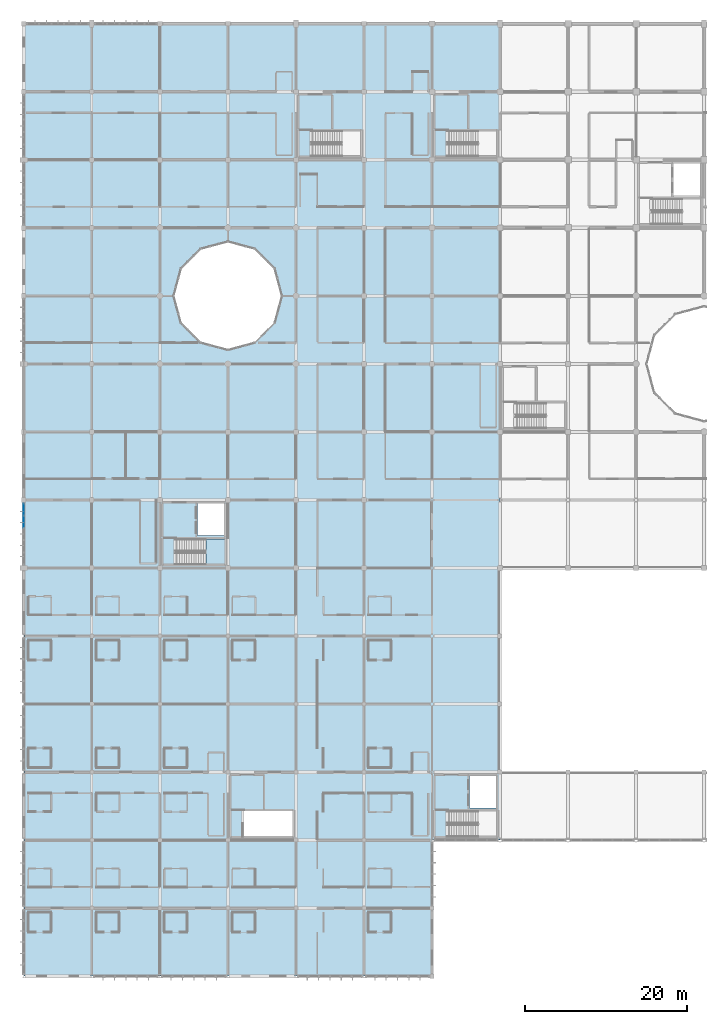
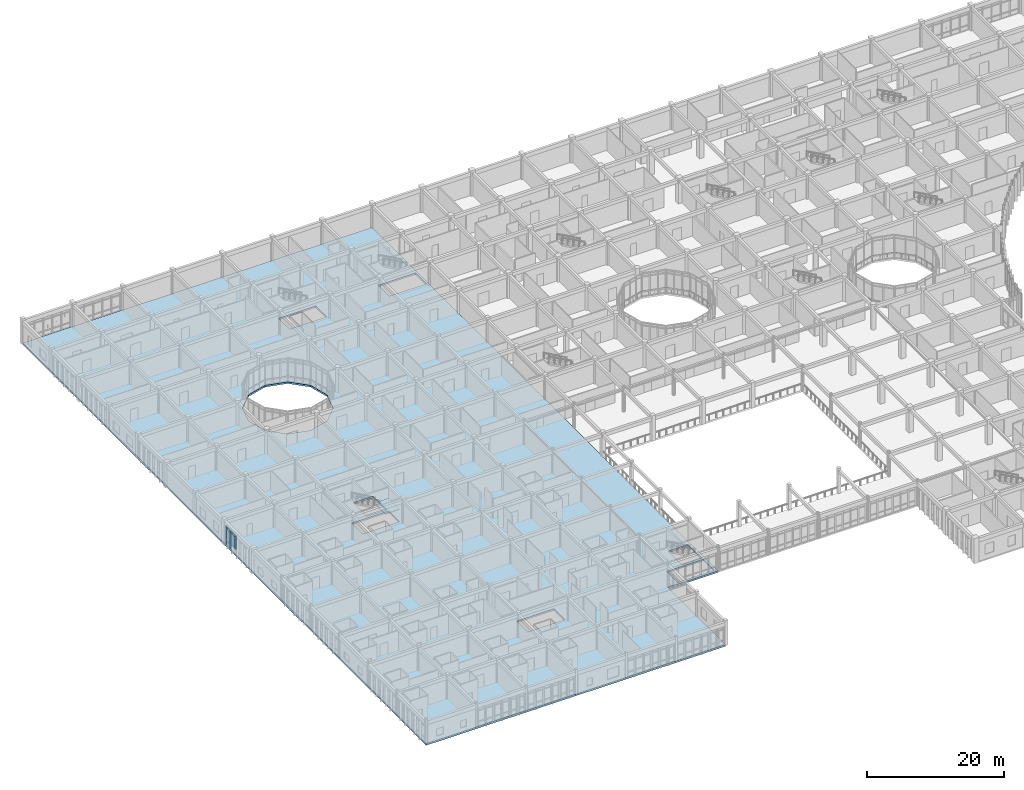
# One storey, part 73 of 144: 5 plates, 2 slabs, 2 elements without a shape of their own.
"""IFC4 building model written with IfcOpenShell, lengths in metres."""

import ifcopenshell
import ifcopenshell.guid

model = None  # the IFC model being written
_history = None  # IfcOwnerHistory: only IFC2X3 demands one
_inside = {}  # id of a spatial element -> (the spatial element, [elements in it])
_under = {}  # id of a project, library or spatial element -> (it, [spatial elements below it])
_declared = {}  # id of a project -> (the project, [libraries it declares])
_typed = {}  # id of a type object -> (the type object, [elements of that type])
_made_of = {}  # id of a material, layer set ... -> (it, [elements and type objects made of it])


def new_model(schema):
    """Start an empty IFC model of exactly this schema.

    Asked for "IFC4X3", IfcOpenShell would pick the latest addendum, in which some entities
    have other attributes; the version numbers below select the first issue.
    IFC2X3 requires an IfcOwnerHistory on every rooted entity: one is made here for all.
    """
    global model, _history
    if schema == "IFC4X3":
        model = ifcopenshell.file(schema_version=(4, 3, 0, 0))
    else:
        model = ifcopenshell.file(schema=schema)
    _inside.clear()
    _under.clear()
    _declared.clear()
    _typed.clear()
    _made_of.clear()
    _history = None
    if model.schema == "IFC2X3":
        org = make("IfcOrganization", Name="unknown")
        user = make(
            "IfcPersonAndOrganization",
            ThePerson=make("IfcPerson", FamilyName="unknown"),
            TheOrganization=org,
        )
        app = make(
            "IfcApplication",
            ApplicationDeveloper=org,
            Version="unknown",
            ApplicationFullName="unknown",
            ApplicationIdentifier="unknown",
        )
        _history = make(
            "IfcOwnerHistory",
            OwningUser=user,
            OwningApplication=app,
            ChangeAction="ADDED",
            CreationDate=0,
        )
    return model


def make(cls, **values):
    """One entity of the class cls with the attributes given. An attribute that is None is left unset."""
    return model.create_entity(
        cls, **{name: value for name, value in values.items() if value is not None}
    )


def rooted(cls, **values):
    """An entity with a GlobalId (a new one), such as an element, a storey or a relation."""
    return make(cls, GlobalId=ifcopenshell.guid.new(), OwnerHistory=_history, **values)


def si_unit(unit_type, name, prefix=None):
    """IfcSIUnit, for example si_unit("LENGTHUNIT", "METRE", prefix="MILLI")."""
    return make("IfcSIUnit", UnitType=unit_type, Prefix=prefix, Name=name)


def assignment(units):
    """IfcUnitAssignment: the units of a project."""
    return None if units is None else make("IfcUnitAssignment", Units=units)


def point(xyz):
    """IfcCartesianPoint."""
    return None if xyz is None else make("IfcCartesianPoint", Coordinates=xyz)


def direction(xyz):
    """IfcDirection."""
    return None if xyz is None else make("IfcDirection", DirectionRatios=xyz)


def frame(location, z_axis=None, x_axis=None):
    """IfcAxis2Placement3D, a coordinate frame: its origin and axes. An axis left out is left unset."""
    return make(
        "IfcAxis2Placement3D",
        Location=point(location),
        Axis=direction(z_axis),
        RefDirection=direction(x_axis),
    )


def frame_2d(location, x_axis=None):
    """IfcAxis2Placement2D, a coordinate frame in the plane: its origin and x axis."""
    return make(
        "IfcAxis2Placement2D", Location=point(location), RefDirection=direction(x_axis)
    )


def origin():
    """The frame at (0, 0, 0) with its axes left unset."""
    return frame((0.0, 0.0, 0.0))


def origin_2d():
    """The frame at (0, 0) in the plane with its x axis left unset."""
    return frame_2d((0.0, 0.0))


def place(relative_to, where):
    """IfcLocalPlacement: puts the frame where relative to a parent placement (None: the world)."""
    return make(
        "IfcLocalPlacement", PlacementRelTo=relative_to, RelativePlacement=where
    )


def context(
    kind, dimensions, precision=None, world=None, true_north=None, identifier=None
):
    """IfcGeometricRepresentationContext, for example the 3D "Model" context."""
    return make(
        "IfcGeometricRepresentationContext",
        ContextIdentifier=identifier,
        ContextType=kind,
        CoordinateSpaceDimension=dimensions,
        Precision=precision,
        WorldCoordinateSystem=world,
        TrueNorth=true_north,
    )


def subcontext(parent, identifier, kind, view, scale=None):
    """IfcGeometricRepresentationSubContext, for example "Body" below "Model"."""
    return make(
        "IfcGeometricRepresentationSubContext",
        ContextIdentifier=identifier,
        ContextType=kind,
        ParentContext=parent,
        TargetScale=scale,
        TargetView=view,
    )


def project(units=None, contexts=None):
    """IfcProject with its units and contexts."""
    return rooted(
        "IfcProject",
        Name="project",
        RepresentationContexts=contexts,
        UnitsInContext=assignment(units),
    )


def spatial(cls, under=None, at=None, **own):
    """A site, building, storey or space (cls), placed at a placement, below another one or the project."""
    s = rooted(cls, ObjectPlacement=at, **own)
    if under is not None:
        _under.setdefault(under.id(), (under, []))[1].append(s)
    return s


def polyline(points):
    """IfcPolyline through the points."""
    return make("IfcPolyline", Points=[point(p) for p in points])


def profile(cls, at=None, kind="AREA", **sizes):
    """A parametric profile (cls). Its sizes go by their IFC names, for example OverallWidth=200.0."""
    return make(cls, ProfileType=kind, Position=at, **sizes)


def rectangle(**sizes):
    """IfcRectangleProfileDef."""
    return profile("IfcRectangleProfileDef", **sizes)


def outline(outer, holes=None, kind="AREA"):
    """IfcArbitraryClosedProfileDef: a profile drawn as a closed curve; with holes, ...WithVoids."""
    if holes is None:
        return make("IfcArbitraryClosedProfileDef", ProfileType=kind, OuterCurve=outer)
    return make(
        "IfcArbitraryProfileDefWithVoids",
        ProfileType=kind,
        OuterCurve=outer,
        InnerCurves=holes,
    )


def extrude(swept, where, along, depth):
    """IfcExtrudedAreaSolid: the profile swept, set in the frame where, extruded along a direction by depth."""
    return make(
        "IfcExtrudedAreaSolid",
        SweptArea=swept,
        Position=where,
        ExtrudedDirection=direction(along),
        Depth=depth,
    )


def shape(context_of_items, identifier, shape_type, items):
    """IfcShapeRepresentation: the items that make up one representation, for example the "Body"."""
    return make(
        "IfcShapeRepresentation",
        ContextOfItems=context_of_items,
        RepresentationIdentifier=identifier,
        RepresentationType=shape_type,
        Items=items,
    )


def material(Name=None, Category=None):
    """IfcMaterial."""
    return make("IfcMaterial", Name=Name, Category=Category)


def layer(
    of_material, thickness, ventilated=None, Name=None, Category=None, Priority=None
):
    """IfcMaterialLayer: one layer of a wall or slab, of a material (None: an air gap)."""
    return make(
        "IfcMaterialLayer",
        Material=of_material,
        LayerThickness=thickness,
        IsVentilated=ventilated,
        Name=Name,
        Category=Category,
        Priority=Priority,
    )


def layer_set(layers, Name=None):
    """IfcMaterialLayerSet."""
    return make("IfcMaterialLayerSet", MaterialLayers=layers, LayerSetName=Name)


def made_of(thing, what):
    """Note that an element or type object is made of a material, layer set ...; save() writes the relation."""
    if what is not None:
        _made_of.setdefault(what.id(), (what, []))[1].append(thing)
    return thing


def type_object(cls, material=None, **own):
    """A type object (cls), such as IfcWallType, which elements share."""
    return made_of(rooted(cls, **own), material)


def element(
    cls,
    number,
    at=None,
    inside=None,
    cuts=None,
    type_object=None,
    material=None,
    context=None,
    identifier="Body",
    shape_type=None,
    held_by="IfcProductDefinitionShape",
    body=None,
    shapes=None,
    **own,
):
    """One element of the class cls, such as IfcWall. Its Tag is "e" and its number.

    at: its placement. inside: the storey or other place that contains it. cuts: it is an
    opening in that element (IfcRelVoidsElement). A single representation is given by context,
    identifier, shape_type and body (its items); several are given by shapes. held_by: the class
    of the entity that holds the representations. save() writes the other relations.
    """
    e = rooted(cls, Tag="e%d" % number, ObjectPlacement=at, **own)
    if body is not None:
        shapes = [shape(context, identifier, shape_type, body)]
    if shapes is not None:
        e.Representation = make(held_by, Representations=shapes)
    if inside is not None:
        _inside.setdefault(inside.id(), (inside, []))[1].append(e)
    if cuts is not None:
        rooted(
            "IfcRelVoidsElement", RelatingBuildingElement=cuts, RelatedOpeningElement=e
        )
    if type_object is not None:
        _typed.setdefault(type_object.id(), (type_object, []))[1].append(e)
    return made_of(e, material)


def aggregate(whole, parts):
    """IfcRelAggregates: a whole, such as a stair, and the parts it consists of."""
    return rooted("IfcRelAggregates", RelatingObject=whole, RelatedObjects=parts)


def save(model, path):
    """Write the relations noted so far, then the file.

    IfcRelAggregates (storeys below a building ...), IfcRelContainedInSpatialStructure (elements
    in a storey), IfcRelDefinesByType, IfcRelAssociatesMaterial and IfcRelDeclares: one each for
    every whole, place, type object, material and project.
    """
    for whole, parts in _under.values():
        aggregate(whole, parts)
    for where, things in _inside.values():
        rooted(
            "IfcRelContainedInSpatialStructure",
            RelatedElements=things,
            RelatingStructure=where,
        )
    for kind, things in _typed.values():
        rooted("IfcRelDefinesByType", RelatedObjects=things, RelatingType=kind)
    for what, things in _made_of.values():
        rooted("IfcRelAssociatesMaterial", RelatedObjects=things, RelatingMaterial=what)
    for by, libraries in _declared.values():
        rooted("IfcRelDeclares", RelatingContext=by, RelatedDefinitions=libraries)
    model.write(path)


model = new_model("IFC4")

# Units and contexts
model_context = context("Model", 3, precision=1e-05, world=origin(), true_north=direction((0.0, 1.0)))
body_context = subcontext(model_context, "Body", "Model", "MODEL_VIEW")
ifc_project = project(units=[si_unit("LENGTHUNIT", "METRE"), si_unit("AREAUNIT", "SQUARE_METRE"), si_unit("VOLUMEUNIT", "CUBIC_METRE"), si_unit("PLANEANGLEUNIT", "RADIAN"), si_unit("MASSUNIT", "GRAM", prefix="KILO")], contexts=[model_context])

# Site, building, storey
site_placement = place(None, origin())
site = spatial("IfcSite", under=ifc_project, at=site_placement, CompositionType="ELEMENT")
building_placement = place(site_placement, origin())
building = spatial("IfcBuilding", under=site, at=building_placement, Name="Bramfleet General Hospital", CompositionType="ELEMENT")
storey_placement = place(building_placement, frame((0.0, 0.0, 4.800048828125)))
storey = spatial("IfcBuildingStorey", under=building, at=storey_placement, Name="L01", CompositionType="ELEMENT", Elevation=4.800048828125)

# Curtain wall, plates
ifc_material_1 = material(Name="Anodised aluminium and low-E triple glazing", Category="aluminium")
ifc_layer_1 = layer(ifc_material_1, 0.179931640625, Name="CWT-CW-03")
ifc_layer_set_1 = layer_set([ifc_layer_1], Name="Anodised aluminium and low-E triple glazing")
curtain_wall_type = type_object("IfcCurtainWallType", Name="CWT-CW-03", PredefinedType="USERDEFINED", material=ifc_layer_set_1)
curtain_wall_placement = place(storey_placement, origin())
curtain_wall = element("IfcCurtainWall", 1, at=curtain_wall_placement, inside=storey, type_object=curtain_wall_type, Name="L01 Curtain Wall 93", ObjectType="Unitised curtain wall", PredefinedType="USERDEFINED")
ifc_material_2 = material(Name="Low-E laminated safety glass", Category="glass")
ifc_layer_2 = layer(ifc_material_2, 0.028076171875, Name="CWP-GLZ-1")
ifc_layer_set_2 = layer_set([ifc_layer_2], Name="Low-E laminated safety glass")
plate_type = type_object("IfcPlateType", Name="CWP-GLZ-1", PredefinedType="CURTAIN_PANEL", material=ifc_layer_set_2)
plate_1_placement = place(storey_placement, frame((0.0, 56.1298828125, 0.9326171875), z_axis=(0.0, 0.0, 1.0), x_axis=(0.0, 1.0, 0.0)))
plate_1 = element("IfcPlate", 2, at=plate_1_placement, type_object=plate_type, Name="CW-03 panel 4.2", PredefinedType="CURTAIN_PANEL", context=body_context, shape_type="SweptSolid", body=[
    extrude(rectangle(XDim=1.4599609375, YDim=0.028076171875, at=origin_2d()), origin(), (0.0, 0.0, 1.0), 1.925048828125),
])
plate_2_placement = place(storey_placement, frame((0.0, 56.1298828125, 2.92236328125), z_axis=(0.0, 0.0, 1.0), x_axis=(0.0, 1.0, 0.0)))
plate_2 = element("IfcPlate", 3, at=plate_2_placement, type_object=plate_type, Name="CW-03 panel 4.3", PredefinedType="CURTAIN_PANEL", context=body_context, shape_type="SweptSolid", body=[
    extrude(rectangle(XDim=1.4599609375, YDim=0.028076171875, at=origin_2d()), origin(), (0.0, 0.0, 1.0), 0.452392578125),
])
plate_3_placement = place(storey_placement, frame((0.0, 57.642578125, 0.06494140625), z_axis=(0.0, 0.0, 1.0), x_axis=(0.0, 1.0, 0.0)))
plate_3 = element("IfcPlate", 4, at=plate_3_placement, type_object=plate_type, Name="CW-03 panel 5.1", PredefinedType="CURTAIN_PANEL", context=body_context, shape_type="SweptSolid", body=[
    extrude(rectangle(XDim=1.425048828125, YDim=0.028076171875, at=origin_2d()), origin(), (0.0, 0.0, 1.0), 0.802490234375),
])
plate_4_placement = place(storey_placement, frame((0.0, 57.642578125, 0.9326171875), z_axis=(0.0, 0.0, 1.0), x_axis=(0.0, 1.0, 0.0)))
plate_4 = element("IfcPlate", 5, at=plate_4_placement, type_object=plate_type, Name="CW-03 panel 5.2", PredefinedType="CURTAIN_PANEL", context=body_context, shape_type="SweptSolid", body=[
    extrude(rectangle(XDim=1.425048828125, YDim=0.028076171875, at=origin_2d()), origin(), (0.0, 0.0, 1.0), 1.925048828125),
])
plate_5_placement = place(storey_placement, frame((0.0, 57.642578125, 2.92236328125), z_axis=(0.0, 0.0, 1.0), x_axis=(0.0, 1.0, 0.0)))
plate_5 = element("IfcPlate", 6, at=plate_5_placement, type_object=plate_type, Name="CW-03 panel 5.3", PredefinedType="CURTAIN_PANEL", context=body_context, shape_type="SweptSolid", body=[
    extrude(rectangle(XDim=1.425048828125, YDim=0.028076171875, at=origin_2d()), origin(), (0.0, 0.0, 1.0), 0.452392578125),
])
aggregate(curtain_wall, [plate_1, plate_2, plate_3, plate_4, plate_5])

# Slab
ifc_material_3 = material(Name="Concrete C35/45", Category="concrete")
ifc_layer_3 = layer(ifc_material_3, 0.300048828125, Name="SL-FLR-300")
ifc_layer_set_3 = layer_set([ifc_layer_3], Name="Concrete C35/45")
slab_type_1 = type_object("IfcSlabType", Name="SL-FLR-300", PredefinedType="FLOOR", material=ifc_layer_set_3)
slab_1_placement = place(storey_placement, frame((0.0, 0.0, -0.300048828125)))
element("IfcSlab", 7, at=slab_1_placement, inside=storey, type_object=slab_type_1, Name="L01 Structural Floor Slab (WEST)", PredefinedType="FLOOR", context=body_context, shape_type="SweptSolid", body=[
    extrude(outline(polyline([(0.0, 67.199951171875), (0.0, 75.60009765625), (0.0, 84.0), (0.0, 92.39990234375), (0.0, 100.800048828125), (0.0, 109.199951171875), (0.0, 117.60009765625), (8.39990234375, 117.60009765625), (16.800048828125, 117.60009765625), (25.199951171875, 117.60009765625), (33.60009765625, 117.60009765625), (42.0, 117.60009765625), (50.39990234375, 117.60009765625), (58.800048828125, 117.60009765625), (58.800048828125, 50.39990234375), (58.800048828125, 25.199951171875), (58.800048828125, 16.800048828125), (50.39990234375, 16.800048828125), (50.39990234375, 8.39990234375), (50.39990234375, 0.0), (42.0, 0.0), (33.60009765625, 0.0), (25.199951171875, 0.0), (16.800048828125, 0.0), (8.39990234375, 0.0), (0.0, 0.0), (0.0, 8.39990234375), (0.0, 16.800048828125), (0.0, 25.199951171875), (0.0, 33.60009765625), (0.0, 42.0), (0.0, 50.39990234375), (0.0, 58.800048828125), (0.0, 67.199951171875)]), holes=[polyline([(19.484130859375, 80.699951171875), (21.89990234375, 78.2841796875), (25.199951171875, 77.39990234375), (28.5, 78.2841796875), (30.915771484375, 80.699951171875), (31.800048828125, 84.0), (30.915771484375, 87.300048828125), (28.5, 89.7158203125), (25.199951171875, 90.60009765625), (21.89990234375, 89.7158203125), (19.484130859375, 87.300048828125), (18.60009765625, 84.0), (19.484130859375, 80.699951171875)]), polyline([(52.239990234375, 17.219970703125), (58.4599609375, 17.219970703125), (58.4599609375, 20.3798828125), (52.239990234375, 20.3798828125), (52.239990234375, 17.219970703125)]), polyline([(55.02001953125, 20.800048828125), (58.35009765625, 20.800048828125), (58.35009765625, 24.75), (55.02001953125, 24.75), (55.02001953125, 20.800048828125)]), polyline([(18.639892578125, 50.820068359375), (24.860107421875, 50.820068359375), (24.860107421875, 53.97998046875), (18.639892578125, 53.97998046875), (18.639892578125, 50.820068359375)]), polyline([(21.419921875, 54.39990234375), (24.75, 54.39990234375), (24.75, 58.35009765625), (21.419921875, 58.35009765625), (21.419921875, 54.39990234375)]), polyline([(27.0400390625, 17.219970703125), (33.260009765625, 17.219970703125), (33.260009765625, 20.3798828125), (27.0400390625, 20.3798828125), (27.0400390625, 17.219970703125)]), polyline([(35.43994140625, 101.219970703125), (41.659912109375, 101.219970703125), (41.659912109375, 104.3798828125), (35.43994140625, 104.3798828125), (35.43994140625, 101.219970703125)]), polyline([(52.239990234375, 101.219970703125), (58.4599609375, 101.219970703125), (58.4599609375, 104.3798828125), (52.239990234375, 104.3798828125), (52.239990234375, 101.219970703125)])]), origin(), (0.0, 0.0, 1.0), 0.300048828125),
])

# Stair, slab
stair_type = type_object("IfcStairType", Name="STR-T2", PredefinedType="HALF_TURN_STAIR", material=ifc_material_3)
stair_placement = place(storey_placement, origin())
stair = element("IfcStair", 8, at=stair_placement, inside=storey, type_object=stair_type, Name="L01 Core C2 (Emergency & Surgical) Protected Escape Stair", PredefinedType="HALF_TURN_STAIR")
ifc_layer_4 = layer(ifc_material_3, 0.199951171875, Name="SL-LND-200")
ifc_layer_set_4 = layer_set([ifc_layer_4], Name="Concrete C35/45")
slab_type_2 = type_object("IfcSlabType", Name="SL-LND-200", PredefinedType="LANDING", material=ifc_layer_set_4)
slab_2_placement = place(storey_placement, frame((0.0, 0.0, 2.050048828125)))
slab_2 = element("IfcSlab", 9, at=slab_2_placement, type_object=slab_type_2, Name="ST-C2 landing 1", PredefinedType="LANDING", context=body_context, shape_type="SweptSolid", body=[
    extrude(outline(polyline([(22.47509765625, 50.820068359375), (24.860107421875, 50.820068359375), (24.860107421875, 53.97998046875), (22.47509765625, 53.97998046875), (22.47509765625, 50.820068359375)])), origin(), (0.0, 0.0, 1.0), 0.199951171875),
])
aggregate(stair, [slab_2])

save(model, "model.ifc")
